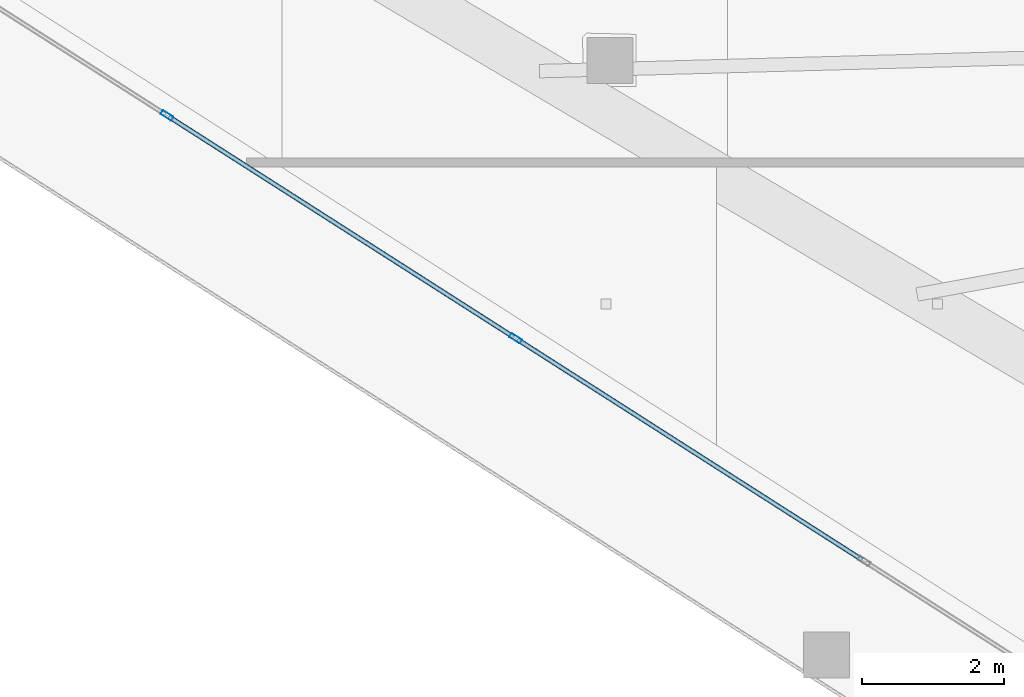
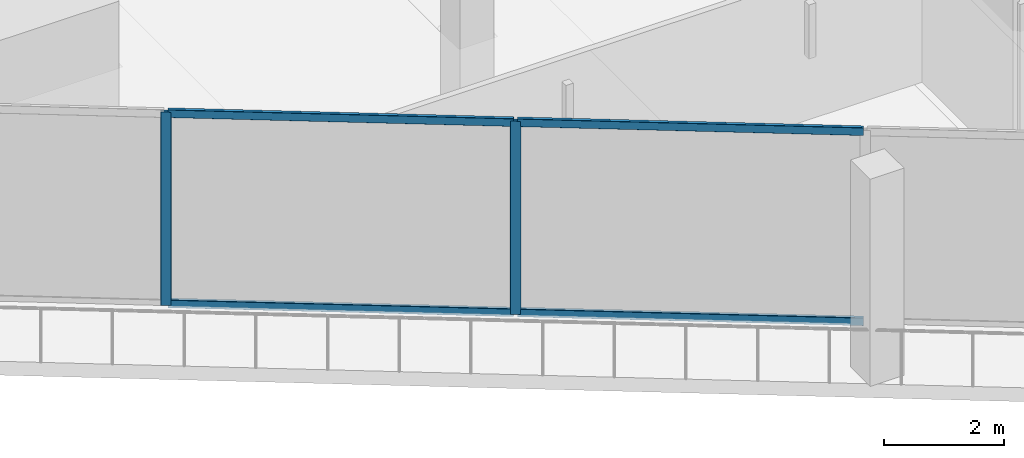
# One storey, part 3 of 44: 6 members, 1 element without a shape of its own.
"""IFC4 building model written with IfcOpenShell, lengths in metres."""

import ifcopenshell
import ifcopenshell.guid

model = None  # the IFC model being written
_history = None  # IfcOwnerHistory: only IFC2X3 demands one
_inside = {}  # id of a spatial element -> (the spatial element, [elements in it])
_under = {}  # id of a project, library or spatial element -> (it, [spatial elements below it])
_declared = {}  # id of a project -> (the project, [libraries it declares])
_typed = {}  # id of a type object -> (the type object, [elements of that type])
_made_of = {}  # id of a material, layer set ... -> (it, [elements and type objects made of it])


def new_model(schema):
    """Start an empty IFC model of exactly this schema.

    Asked for "IFC4X3", IfcOpenShell would pick the latest addendum, in which some entities
    have other attributes; the version numbers below select the first issue.
    IFC2X3 requires an IfcOwnerHistory on every rooted entity: one is made here for all.
    """
    global model, _history
    if schema == "IFC4X3":
        model = ifcopenshell.file(schema_version=(4, 3, 0, 0))
    else:
        model = ifcopenshell.file(schema=schema)
    _inside.clear()
    _under.clear()
    _declared.clear()
    _typed.clear()
    _made_of.clear()
    _history = None
    if model.schema == "IFC2X3":
        org = make("IfcOrganization", Name="unknown")
        user = make(
            "IfcPersonAndOrganization",
            ThePerson=make("IfcPerson", FamilyName="unknown"),
            TheOrganization=org,
        )
        app = make(
            "IfcApplication",
            ApplicationDeveloper=org,
            Version="unknown",
            ApplicationFullName="unknown",
            ApplicationIdentifier="unknown",
        )
        _history = make(
            "IfcOwnerHistory",
            OwningUser=user,
            OwningApplication=app,
            ChangeAction="ADDED",
            CreationDate=0,
        )
    return model


def make(cls, **values):
    """One entity of the class cls with the attributes given. An attribute that is None is left unset."""
    return model.create_entity(
        cls, **{name: value for name, value in values.items() if value is not None}
    )


def rooted(cls, **values):
    """An entity with a GlobalId (a new one), such as an element, a storey or a relation."""
    return make(cls, GlobalId=ifcopenshell.guid.new(), OwnerHistory=_history, **values)


def si_unit(unit_type, name, prefix=None):
    """IfcSIUnit, for example si_unit("LENGTHUNIT", "METRE", prefix="MILLI")."""
    return make("IfcSIUnit", UnitType=unit_type, Prefix=prefix, Name=name)


def assignment(units):
    """IfcUnitAssignment: the units of a project."""
    return None if units is None else make("IfcUnitAssignment", Units=units)


def point(xyz):
    """IfcCartesianPoint."""
    return None if xyz is None else make("IfcCartesianPoint", Coordinates=xyz)


def direction(xyz):
    """IfcDirection."""
    return None if xyz is None else make("IfcDirection", DirectionRatios=xyz)


def frame(location, z_axis=None, x_axis=None):
    """IfcAxis2Placement3D, a coordinate frame: its origin and axes. An axis left out is left unset."""
    return make(
        "IfcAxis2Placement3D",
        Location=point(location),
        Axis=direction(z_axis),
        RefDirection=direction(x_axis),
    )


def frame_2d(location, x_axis=None):
    """IfcAxis2Placement2D, a coordinate frame in the plane: its origin and x axis."""
    return make(
        "IfcAxis2Placement2D", Location=point(location), RefDirection=direction(x_axis)
    )


def origin():
    """The frame at (0, 0, 0) with its axes left unset."""
    return frame((0.0, 0.0, 0.0))


def origin_2d():
    """The frame at (0, 0) in the plane with its x axis left unset."""
    return frame_2d((0.0, 0.0))


def place(relative_to, where):
    """IfcLocalPlacement: puts the frame where relative to a parent placement (None: the world)."""
    return make(
        "IfcLocalPlacement", PlacementRelTo=relative_to, RelativePlacement=where
    )


def context(
    kind, dimensions, precision=None, world=None, true_north=None, identifier=None
):
    """IfcGeometricRepresentationContext, for example the 3D "Model" context."""
    return make(
        "IfcGeometricRepresentationContext",
        ContextIdentifier=identifier,
        ContextType=kind,
        CoordinateSpaceDimension=dimensions,
        Precision=precision,
        WorldCoordinateSystem=world,
        TrueNorth=true_north,
    )


def subcontext(parent, identifier, kind, view, scale=None):
    """IfcGeometricRepresentationSubContext, for example "Body" below "Model"."""
    return make(
        "IfcGeometricRepresentationSubContext",
        ContextIdentifier=identifier,
        ContextType=kind,
        ParentContext=parent,
        TargetScale=scale,
        TargetView=view,
    )


def project(units=None, contexts=None):
    """IfcProject with its units and contexts."""
    return rooted(
        "IfcProject",
        Name="project",
        RepresentationContexts=contexts,
        UnitsInContext=assignment(units),
    )


def spatial(cls, under=None, at=None, **own):
    """A site, building, storey or space (cls), placed at a placement, below another one or the project."""
    s = rooted(cls, ObjectPlacement=at, **own)
    if under is not None:
        _under.setdefault(under.id(), (under, []))[1].append(s)
    return s


def profile(cls, at=None, kind="AREA", **sizes):
    """A parametric profile (cls). Its sizes go by their IFC names, for example OverallWidth=200.0."""
    return make(cls, ProfileType=kind, Position=at, **sizes)


def hollow_rectangle(**sizes):
    """IfcRectangleHollowProfileDef."""
    return profile("IfcRectangleHollowProfileDef", **sizes)


def extrude(swept, where, along, depth):
    """IfcExtrudedAreaSolid: the profile swept, set in the frame where, extruded along a direction by depth."""
    return make(
        "IfcExtrudedAreaSolid",
        SweptArea=swept,
        Position=where,
        ExtrudedDirection=direction(along),
        Depth=depth,
    )


def shape(context_of_items, identifier, shape_type, items):
    """IfcShapeRepresentation: the items that make up one representation, for example the "Body"."""
    return make(
        "IfcShapeRepresentation",
        ContextOfItems=context_of_items,
        RepresentationIdentifier=identifier,
        RepresentationType=shape_type,
        Items=items,
    )


def material(Name=None, Category=None):
    """IfcMaterial."""
    return make("IfcMaterial", Name=Name, Category=Category)


def layer(
    of_material, thickness, ventilated=None, Name=None, Category=None, Priority=None
):
    """IfcMaterialLayer: one layer of a wall or slab, of a material (None: an air gap)."""
    return make(
        "IfcMaterialLayer",
        Material=of_material,
        LayerThickness=thickness,
        IsVentilated=ventilated,
        Name=Name,
        Category=Category,
        Priority=Priority,
    )


def layer_set(layers, Name=None):
    """IfcMaterialLayerSet."""
    return make("IfcMaterialLayerSet", MaterialLayers=layers, LayerSetName=Name)


def material_profile(
    of_material, cross_section, Name=None, Category=None, Priority=None
):
    """IfcMaterialProfile: a cross section and its material."""
    return make(
        "IfcMaterialProfile",
        Name=Name,
        Material=of_material,
        Profile=cross_section,
        Priority=Priority,
        Category=Category,
    )


def profile_set(profiles, Name=None, composite=None):
    """IfcMaterialProfileSet."""
    return make(
        "IfcMaterialProfileSet",
        Name=Name,
        MaterialProfiles=profiles,
        CompositeProfile=composite,
    )


def made_of(thing, what):
    """Note that an element or type object is made of a material, layer set ...; save() writes the relation."""
    if what is not None:
        _made_of.setdefault(what.id(), (what, []))[1].append(thing)
    return thing


def type_object(cls, material=None, **own):
    """A type object (cls), such as IfcWallType, which elements share."""
    return made_of(rooted(cls, **own), material)


def element(
    cls,
    number,
    at=None,
    inside=None,
    cuts=None,
    type_object=None,
    material=None,
    context=None,
    identifier="Body",
    shape_type=None,
    held_by="IfcProductDefinitionShape",
    body=None,
    shapes=None,
    **own,
):
    """One element of the class cls, such as IfcWall. Its Tag is "e" and its number.

    at: its placement. inside: the storey or other place that contains it. cuts: it is an
    opening in that element (IfcRelVoidsElement). A single representation is given by context,
    identifier, shape_type and body (its items); several are given by shapes. held_by: the class
    of the entity that holds the representations. save() writes the other relations.
    """
    e = rooted(cls, Tag="e%d" % number, ObjectPlacement=at, **own)
    if body is not None:
        shapes = [shape(context, identifier, shape_type, body)]
    if shapes is not None:
        e.Representation = make(held_by, Representations=shapes)
    if inside is not None:
        _inside.setdefault(inside.id(), (inside, []))[1].append(e)
    if cuts is not None:
        rooted(
            "IfcRelVoidsElement", RelatingBuildingElement=cuts, RelatedOpeningElement=e
        )
    if type_object is not None:
        _typed.setdefault(type_object.id(), (type_object, []))[1].append(e)
    return made_of(e, material)


def aggregate(whole, parts):
    """IfcRelAggregates: a whole, such as a stair, and the parts it consists of."""
    return rooted("IfcRelAggregates", RelatingObject=whole, RelatedObjects=parts)


def save(model, path):
    """Write the relations noted so far, then the file.

    IfcRelAggregates (storeys below a building ...), IfcRelContainedInSpatialStructure (elements
    in a storey), IfcRelDefinesByType, IfcRelAssociatesMaterial and IfcRelDeclares: one each for
    every whole, place, type object, material and project.
    """
    for whole, parts in _under.values():
        aggregate(whole, parts)
    for where, things in _inside.values():
        rooted(
            "IfcRelContainedInSpatialStructure",
            RelatedElements=things,
            RelatingStructure=where,
        )
    for kind, things in _typed.values():
        rooted("IfcRelDefinesByType", RelatedObjects=things, RelatingType=kind)
    for what, things in _made_of.values():
        rooted("IfcRelAssociatesMaterial", RelatedObjects=things, RelatingMaterial=what)
    for by, libraries in _declared.values():
        rooted("IfcRelDeclares", RelatingContext=by, RelatedDefinitions=libraries)
    model.write(path)


model = new_model("IFC4")

# Units and contexts
model_context = context("Model", 3, precision=1e-05, world=origin(), true_north=direction((0.0, 1.0)))
body_context = subcontext(model_context, "Body", "Model", "MODEL_VIEW")
ifc_project = project(units=[si_unit("LENGTHUNIT", "METRE"), si_unit("AREAUNIT", "SQUARE_METRE"), si_unit("VOLUMEUNIT", "CUBIC_METRE"), si_unit("PLANEANGLEUNIT", "RADIAN"), si_unit("MASSUNIT", "GRAM", prefix="KILO")], contexts=[model_context])

# Site, building, storey
site_placement = place(None, origin())
site = spatial("IfcSite", under=ifc_project, at=site_placement, CompositionType="ELEMENT")
building_placement = place(site_placement, origin())
building = spatial("IfcBuilding", under=site, at=building_placement, Name="Qorvath Tower", CompositionType="ELEMENT")
storey_placement = place(building_placement, frame((0.0, 0.0, 70.199951171875)))
storey = spatial("IfcBuildingStorey", under=building, at=storey_placement, Name="L15", CompositionType="ELEMENT", Elevation=70.199951171875)

# Curtain wall, members
ifc_material_1 = material(Name="Anodised aluminium and triple low-E glass", Category="aluminium")
ifc_layer = layer(ifc_material_1, 0.179931640625)
ifc_layer_set = layer_set([ifc_layer], Name="CW-SYS-2")
curtain_wall_type = type_object("IfcCurtainWallType", Name="CW-SYS-2", PredefinedType="NOTDEFINED", material=ifc_layer_set)
curtain_wall_placement = place(storey_placement, origin())
curtain_wall = element("IfcCurtainWall", 1, at=curtain_wall_placement, inside=storey, type_object=curtain_wall_type, Name="Curtain Wall CW-2 CW-T-L15-2.1", PredefinedType="NOTDEFINED")
ifc_material_2 = material(Name="Anodised aluminium 6063-T6", Category="aluminium")
ifc_material_profile_1 = material_profile(ifc_material_2, hollow_rectangle(XDim=0.06494140625, YDim=0.179931640625, WallThickness=0.00341796875, InnerFilletRadius=0.00341796875, OuterFilletRadius=0.007080078125, at=origin_2d()), Name="CWM 180x65")
ifc_profile_set_1 = profile_set([ifc_material_profile_1], Name="Anodised aluminium 6063-T6")
member_type_1 = type_object("IfcMemberType", Name="CWM-180", PredefinedType="MULLION", material=ifc_profile_set_1)
member_1_placement = place(storey_placement, frame((-54.800048828125, -7.196533203125, 0.0), z_axis=(0.0, 0.0, 1.0), x_axis=(0.538530641183, 0.842605927173, 0.0)))
member_1 = element("IfcMember", 2, at=member_1_placement, type_object=member_type_1, Name="CW-2 mullion 2", PredefinedType="MULLION", context=body_context, shape_type="SweptSolid", body=[
    extrude(hollow_rectangle(XDim=0.06494140625, YDim=0.179931640625, WallThickness=0.00341796875, InnerFilletRadius=0.00341796875, OuterFilletRadius=0.007080078125, at=origin_2d()), origin(), (0.0, 0.0, 1.0), 3.920166015625),
])
member_2_placement = place(storey_placement, frame((-49.9033203125, -10.326416015625, 0.0), z_axis=(0.0, 0.0, 1.0), x_axis=(0.538530641183, 0.842605927173, 0.0)))
member_2 = element("IfcMember", 3, at=member_2_placement, type_object=member_type_1, Name="CW-2 mullion 3", PredefinedType="MULLION", context=body_context, shape_type="SweptSolid", body=[
    extrude(hollow_rectangle(XDim=0.06494140625, YDim=0.179931640625, WallThickness=0.00341796875, InnerFilletRadius=0.00341796875, OuterFilletRadius=0.007080078125, at=origin_2d()), origin(), (0.0, 0.0, 1.0), 3.920166015625),
])
ifc_material_3 = material(Name="Anodised aluminium 6063-T6", Category="aluminium")
ifc_material_profile_2 = material_profile(ifc_material_3, hollow_rectangle(XDim=0.06494140625, YDim=0.159912109375, WallThickness=0.00341796875, InnerFilletRadius=0.00341796875, OuterFilletRadius=0.007080078125, at=origin_2d()), Name="CWT 160x65")
ifc_profile_set_2 = profile_set([ifc_material_profile_2], Name="Anodised aluminium 6063-T6")
member_type_2 = type_object("IfcMemberType", Name="CWT-160", PredefinedType="USERDEFINED", material=ifc_profile_set_2)
member_3_placement = place(storey_placement, frame((-54.772705078125, -7.214111328125, 0.032470703125), z_axis=(0.842601476504, -0.538537604809, 0.0), x_axis=(0.538537604809, 0.842601476504, 0.0)))
member_3 = element("IfcMember", 4, at=member_3_placement, type_object=member_type_2, Name="CW-2 transom 2.1", ObjectType="TRANSOM", PredefinedType="USERDEFINED", context=body_context, shape_type="SweptSolid", body=[
    extrude(hollow_rectangle(XDim=0.06494140625, YDim=0.159912109375, WallThickness=0.00341796875, InnerFilletRadius=0.00341796875, OuterFilletRadius=0.007080078125, at=origin_2d()), origin(), (0.0, 0.0, 1.0), 5.74658203125),
])
member_4_placement = place(storey_placement, frame((-54.772705078125, -7.214111328125, 3.8876953125), z_axis=(0.842601476504, -0.538537604809, 0.0), x_axis=(0.538537604809, 0.842601476504, 0.0)))
member_4 = element("IfcMember", 5, at=member_4_placement, type_object=member_type_2, Name="CW-2 transom 2.2", ObjectType="TRANSOM", PredefinedType="USERDEFINED", context=body_context, shape_type="SweptSolid", body=[
    extrude(hollow_rectangle(XDim=0.06494140625, YDim=0.159912109375, WallThickness=0.00341796875, InnerFilletRadius=0.00341796875, OuterFilletRadius=0.007080078125, at=origin_2d()), origin(), (0.0, 0.0, 1.0), 5.74658203125),
])
member_5_placement = place(storey_placement, frame((-49.8759765625, -10.34375, 0.032470703125), z_axis=(0.842601476504, -0.538537604809, 0.0), x_axis=(0.538537604809, 0.842601476504, 0.0)))
member_5 = element("IfcMember", 6, at=member_5_placement, type_object=member_type_2, Name="CW-2 transom 3.1", ObjectType="TRANSOM", PredefinedType="USERDEFINED", context=body_context, shape_type="SweptSolid", body=[
    extrude(hollow_rectangle(XDim=0.06494140625, YDim=0.159912109375, WallThickness=0.00341796875, InnerFilletRadius=0.00341796875, OuterFilletRadius=0.007080078125, at=origin_2d()), origin(), (0.0, 0.0, 1.0), 5.74658203125),
])
member_6_placement = place(storey_placement, frame((-49.8759765625, -10.34375, 3.8876953125), z_axis=(0.842601476504, -0.538537604809, 0.0), x_axis=(0.538537604809, 0.842601476504, 0.0)))
member_6 = element("IfcMember", 7, at=member_6_placement, type_object=member_type_2, Name="CW-2 transom 3.2", ObjectType="TRANSOM", PredefinedType="USERDEFINED", context=body_context, shape_type="SweptSolid", body=[
    extrude(hollow_rectangle(XDim=0.06494140625, YDim=0.159912109375, WallThickness=0.00341796875, InnerFilletRadius=0.00341796875, OuterFilletRadius=0.007080078125, at=origin_2d()), origin(), (0.0, 0.0, 1.0), 5.74658203125),
])
aggregate(curtain_wall, [member_1, member_2, member_3, member_4, member_5, member_6])

save(model, "model.ifc")
